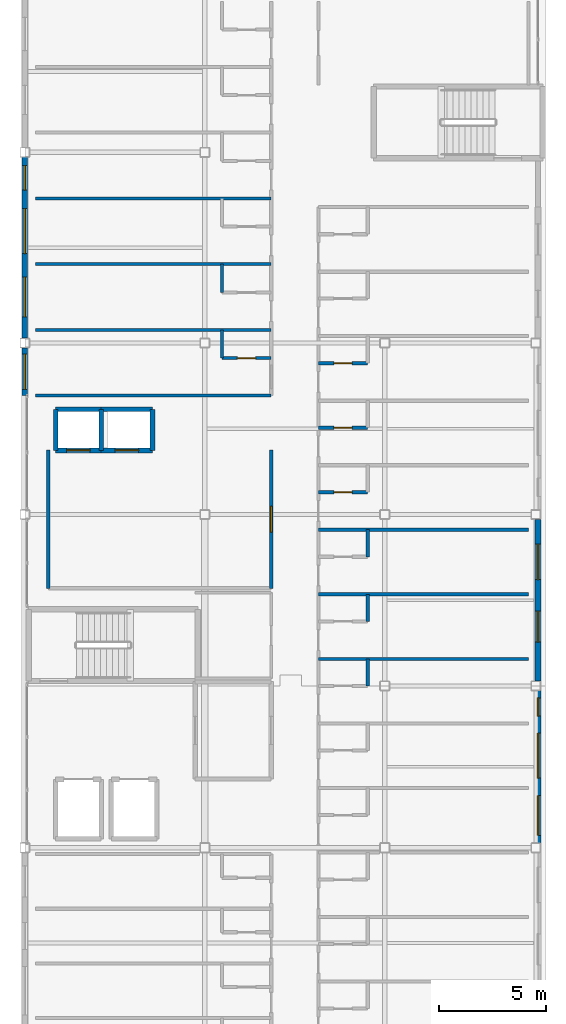
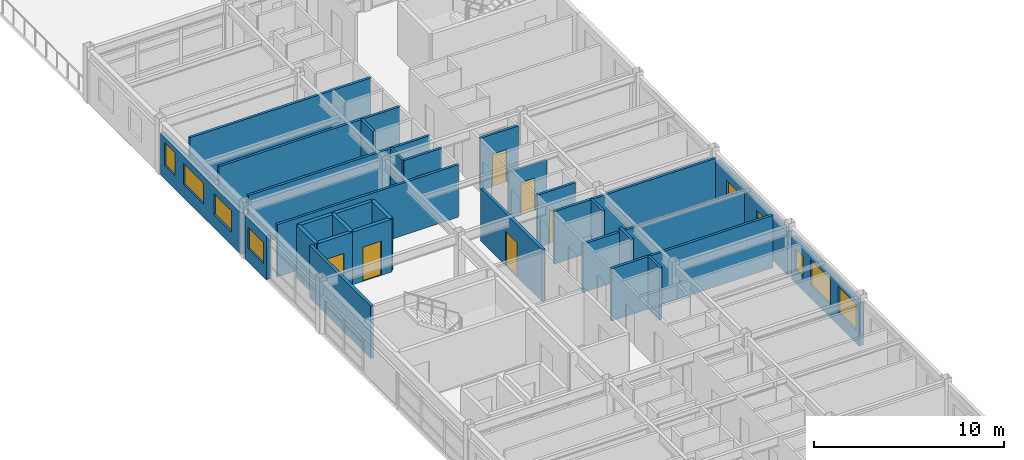
# One storey, part 23 of 28: 29 walls, 9 windows, 7 doors, 16 openings.
"""IFC4 building model written with IfcOpenShell, lengths in metres."""

from ifc_helpers import new_model, si_unit, direction, frame, frame_2d, origin, place, context, subcontext, project, spatial, rectangle, extrude, material, layer, layer_set, type_object, element, fill, save


model = new_model("IFC4")

# Units and contexts
model_context = context("Model", 3, precision=1e-05, world=origin(), true_north=direction((0.0, 1.0)))
body_context = subcontext(model_context, "Body", "Model", "MODEL_VIEW")
ifc_project = project(units=[si_unit("LENGTHUNIT", "METRE"), si_unit("AREAUNIT", "SQUARE_METRE"), si_unit("VOLUMEUNIT", "CUBIC_METRE"), si_unit("PLANEANGLEUNIT", "RADIAN"), si_unit("MASSUNIT", "GRAM", prefix="KILO")], contexts=[model_context])

# Site, building, storey
site_placement = place(None, origin())
site = spatial("IfcSite", under=ifc_project, at=site_placement, CompositionType="ELEMENT")
building_placement = place(site_placement, origin())
building = spatial("IfcBuilding", under=site, at=building_placement, Name="Kazehara Bluff Congress Hotel", CompositionType="ELEMENT")
storey_placement = place(building_placement, frame((0.0, 0.0, 42.60009765625)))
storey = spatial("IfcBuildingStorey", under=building, at=storey_placement, Name="L10", CompositionType="ELEMENT", Elevation=42.60009765625)

# Wall, openings, windows
ifc_material_1 = material(Name="Precast concrete C40/50", Category="concrete")
ifc_layer_1 = layer(ifc_material_1, 0.260009765625)
ifc_layer_set_1 = layer_set([ifc_layer_1], Name="Precast concrete C40/50")
wall_type_1 = type_object("IfcWallType", Name="TP-EW-260", PredefinedType="SOLIDWALL", material=ifc_layer_set_1)
wall_1_placement = place(storey_placement, frame((167.64990234375, 48.22509765625, 0.0), z_axis=(0.0, 0.0, 1.0), x_axis=(0.0, -1.0, 0.0)))
wall_1 = element("IfcWall", 1, at=wall_1_placement, inside=storey, type_object=wall_type_1, Name="L10 hotel facade panel 153", PredefinedType="SOLIDWALL", context=body_context, shape_type="SweptSolid", body=[
    extrude(rectangle(XDim=7.10009765625, YDim=0.260009765625, at=frame_2d((3.550048828125, 0.0))), origin(), (0.0, 0.0, 1.0), 2.7548828125),
])
opening_1_placement = place(wall_1_placement, frame((4.89501953125, 0.0, 0.85009765625)))
opening_1 = element("IfcOpeningElement", 2, at=opening_1_placement, cuts=wall_1, Name="Opening WN-38", PredefinedType="OPENING", context=body_context, shape_type="SweptSolid", body=[
    extrude(rectangle(XDim=1.85009765625, YDim=1.64990234375, at=frame_2d((0.925048828125, 0.824951171875))), frame((0.0, 0.139892578125, 0.0), z_axis=(0.0, -1.0, 0.0), x_axis=(1.0, 0.0, 0.0)), (0.0, 0.0, 1.0), 0.280029296875),
])
opening_2_placement = place(wall_1_placement, frame((1.97998046875, 0.0, 0.85009765625)))
opening_2 = element("IfcOpeningElement", 3, at=opening_2_placement, cuts=wall_1, Name="Opening WN-48", PredefinedType="OPENING", context=body_context, shape_type="SweptSolid", body=[
    extrude(rectangle(XDim=2.10009765625, YDim=1.64990234375, at=frame_2d((1.050048828125, 0.824951171875))), frame((0.0, 0.139892578125, 0.0), z_axis=(0.0, -1.0, 0.0), x_axis=(1.0, 0.0, 0.0)), (0.0, 0.0, 1.0), 0.280029296875),
])
opening_3_placement = place(wall_1_placement, frame((0.3349609375, 0.0, 0.85009765625)))
opening_3 = element("IfcOpeningElement", 4, at=opening_3_placement, cuts=wall_1, Name="Opening WN-55", PredefinedType="OPENING", context=body_context, shape_type="SweptSolid", body=[
    extrude(rectangle(XDim=0.85009765625, YDim=1.35009765625, at=frame_2d((0.425048828125, 0.675048828125))), frame((0.0, 0.139892578125, 0.0), z_axis=(0.0, -1.0, 0.0), x_axis=(1.0, 0.0, 0.0)), (0.0, 0.0, 1.0), 0.280029296875),
])
ifc_material_2 = material(Name="Insulated low-E double glazing", Category="glass")
window_type_1 = type_object("IfcWindowType", Name="TP-WN-38", PartitioningType="DOUBLE_PANEL_VERTICAL", PredefinedType="WINDOW", material=ifc_material_2)
window_1_placement = place(opening_1_placement, origin())
window_1 = element("IfcWindow", 5, at=window_1_placement, inside=storey, type_object=window_type_1, Name="L10 guestroom window WN-38 301", OverallHeight=1.64990234375, OverallWidth=1.85009765625, PartitioningType="SINGLE_PANEL", PredefinedType="WINDOW", context=body_context, shape_type="SweptSolid", body=[
    extrude(rectangle(XDim=1.85009765625, YDim=1.64990234375, at=frame_2d((0.925048828125, 0.824951171875))), frame((0.0, 0.030029296875, 0.0), z_axis=(0.0, -1.0, 0.0), x_axis=(1.0, 0.0, 0.0)), (0.0, 0.0, 1.0), 0.06005859375),
])
fill(opening_1, window_1)
ifc_material_3 = material(Name="Insulated low-E double glazing", Category="glass")
window_type_2 = type_object("IfcWindowType", Name="TP-WN-48", PartitioningType="DOUBLE_PANEL_VERTICAL", PredefinedType="WINDOW", material=ifc_material_3)
window_2_placement = place(opening_2_placement, origin())
window_2 = element("IfcWindow", 6, at=window_2_placement, inside=storey, type_object=window_type_2, Name="L10 guestroom window WN-48 302", OverallHeight=1.64990234375, OverallWidth=2.10009765625, PartitioningType="SINGLE_PANEL", PredefinedType="WINDOW", context=body_context, shape_type="SweptSolid", body=[
    extrude(rectangle(XDim=2.10009765625, YDim=1.64990234375, at=frame_2d((1.050048828125, 0.824951171875))), frame((0.0, 0.030029296875, 0.0), z_axis=(0.0, -1.0, 0.0), x_axis=(1.0, 0.0, 0.0)), (0.0, 0.0, 1.0), 0.06005859375),
])
fill(opening_2, window_2)
ifc_material_4 = material(Name="Insulated low-E double glazing", Category="glass")
window_type_3 = type_object("IfcWindowType", Name="TP-WN-55", PartitioningType="SINGLE_PANEL", PredefinedType="WINDOW", material=ifc_material_4)
window_3_placement = place(opening_3_placement, origin())
window_3 = element("IfcWindow", 7, at=window_3_placement, inside=storey, type_object=window_type_3, Name="L10 guestroom window WN-55 303", OverallHeight=1.35009765625, OverallWidth=0.85009765625, PartitioningType="SINGLE_PANEL", PredefinedType="WINDOW", context=body_context, shape_type="SweptSolid", body=[
    extrude(rectangle(XDim=0.85009765625, YDim=1.35009765625, at=frame_2d((0.425048828125, 0.675048828125))), frame((0.0, 0.030029296875, 0.0), z_axis=(0.0, -1.0, 0.0), x_axis=(1.0, 0.0, 0.0)), (0.0, 0.0, 1.0), 0.06005859375),
])
fill(opening_3, window_3)

wall_2_placement = place(storey_placement, frame((167.64990234375, 56.22509765625, 0.0), z_axis=(0.0, 0.0, 1.0), x_axis=(0.0, -1.0, 0.0)))
wall_2 = element("IfcWall", 8, at=wall_2_placement, inside=storey, type_object=wall_type_1, Name="L10 hotel facade panel 154", PredefinedType="SOLIDWALL", context=body_context, shape_type="SweptSolid", body=[
    extrude(rectangle(XDim=7.550048828125, YDim=0.260009765625, at=frame_2d((3.77490234375, 0.0))), origin(), (0.0, 0.0, 1.0), 2.7548828125),
])
opening_4_placement = place(wall_2_placement, frame((4.284912109375, 0.0, 0.85009765625)))
opening_4 = element("IfcOpeningElement", 9, at=opening_4_placement, cuts=wall_2, Name="Opening WN-16", PredefinedType="OPENING", context=body_context, shape_type="SweptSolid", body=[
    extrude(rectangle(XDim=1.449951171875, YDim=1.35009765625, at=frame_2d((0.72509765625, 0.675048828125))), frame((0.0, 0.139892578125, 0.0), z_axis=(0.0, -1.0, 0.0), x_axis=(1.0, 0.0, 0.0)), (0.0, 0.0, 1.0), 0.280029296875),
])
opening_5_placement = place(wall_2_placement, frame((1.1650390625, 0.0, 0.85009765625)))
opening_5 = element("IfcOpeningElement", 10, at=opening_5_placement, cuts=wall_2, Name="Opening WN-26", PredefinedType="OPENING", context=body_context, shape_type="SweptSolid", body=[
    extrude(rectangle(XDim=1.64990234375, YDim=1.35009765625, at=frame_2d((0.824951171875, 0.675048828125))), frame((0.0, 0.139892578125, 0.0), z_axis=(0.0, -1.0, 0.0), x_axis=(1.0, 0.0, 0.0)), (0.0, 0.0, 1.0), 0.280029296875),
])
ifc_material_5 = material(Name="Insulated low-E double glazing", Category="glass")
window_type_4 = type_object("IfcWindowType", Name="TP-WN-16", PartitioningType="SINGLE_PANEL", PredefinedType="WINDOW", material=ifc_material_5)
window_4_placement = place(opening_4_placement, origin())
window_4 = element("IfcWindow", 11, at=window_4_placement, inside=storey, type_object=window_type_4, Name="L10 guestroom window WN-16 304", OverallHeight=1.35009765625, OverallWidth=1.449951171875, PartitioningType="SINGLE_PANEL", PredefinedType="WINDOW", context=body_context, shape_type="SweptSolid", body=[
    extrude(rectangle(XDim=1.449951171875, YDim=1.35009765625, at=frame_2d((0.72509765625, 0.675048828125))), frame((0.0, 0.030029296875, 0.0), z_axis=(0.0, -1.0, 0.0), x_axis=(1.0, 0.0, 0.0)), (0.0, 0.0, 1.0), 0.06005859375),
])
fill(opening_4, window_4)
ifc_material_6 = material(Name="Insulated low-E double glazing", Category="glass")
window_type_5 = type_object("IfcWindowType", Name="TP-WN-26", PartitioningType="SINGLE_PANEL", PredefinedType="WINDOW", material=ifc_material_6)
window_5_placement = place(opening_5_placement, origin())
window_5 = element("IfcWindow", 12, at=window_5_placement, inside=storey, type_object=window_type_5, Name="L10 guestroom window WN-26 305", OverallHeight=1.35009765625, OverallWidth=1.64990234375, PartitioningType="SINGLE_PANEL", PredefinedType="WINDOW", context=body_context, shape_type="SweptSolid", body=[
    extrude(rectangle(XDim=1.64990234375, YDim=1.35009765625, at=frame_2d((0.824951171875, 0.675048828125))), frame((0.0, 0.030029296875, 0.0), z_axis=(0.0, -1.0, 0.0), x_axis=(1.0, 0.0, 0.0)), (0.0, 0.0, 1.0), 0.06005859375),
])
fill(opening_5, window_5)

# Wall, opening, window
wall_3_placement = place(storey_placement, frame((143.699951171875, 62.0, 0.0), z_axis=(0.0, 0.0, 1.0), x_axis=(0.0, 1.0, 0.0)))
wall_3 = element("IfcWall", 13, at=wall_3_placement, inside=storey, type_object=wall_type_1, Name="L10 hotel facade panel 159", PredefinedType="SOLIDWALL", context=body_context, shape_type="SweptSolid", body=[
    extrude(rectangle(XDim=2.22509765625, YDim=0.260009765625, at=frame_2d((1.112548828125, 0.0))), origin(), (0.0, 0.0, 1.0), 2.804931640625),
])
opening_6_placement = place(wall_3_placement, frame((0.284912109375, 0.0, 0.85009765625)))
opening_6 = element("IfcOpeningElement", 14, at=opening_6_placement, cuts=wall_3, Name="Opening WN-26", PredefinedType="OPENING", context=body_context, shape_type="SweptSolid", body=[
    extrude(rectangle(XDim=1.64990234375, YDim=1.35009765625, at=frame_2d((0.824951171875, 0.675048828125))), frame((0.0, 0.139892578125, 0.0), z_axis=(0.0, -1.0, 0.0), x_axis=(1.0, 0.0, 0.0)), (0.0, 0.0, 1.0), 0.280029296875),
])
window_6_placement = place(opening_6_placement, origin())
window_6 = element("IfcWindow", 15, at=window_6_placement, inside=storey, type_object=window_type_5, Name="L10 guestroom window WN-26 315", OverallHeight=1.35009765625, OverallWidth=1.64990234375, PartitioningType="SINGLE_PANEL", PredefinedType="WINDOW", context=body_context, shape_type="SweptSolid", body=[
    extrude(rectangle(XDim=1.64990234375, YDim=1.35009765625, at=frame_2d((0.824951171875, 0.675048828125))), frame((0.0, 0.030029296875, 0.0), z_axis=(0.0, -1.0, 0.0), x_axis=(1.0, 0.0, 0.0)), (0.0, 0.0, 1.0), 0.06005859375),
])
fill(opening_6, window_6)

# Wall, openings, windows
wall_4_placement = place(storey_placement, frame((143.699951171875, 64.675048828125, 0.0), z_axis=(0.0, 0.0, 1.0), x_axis=(0.0, 1.0, 0.0)))
wall_4 = element("IfcWall", 16, at=wall_4_placement, inside=storey, type_object=wall_type_1, Name="L10 hotel facade panel 160", PredefinedType="SOLIDWALL", context=body_context, shape_type="SweptSolid", body=[
    extrude(rectangle(XDim=8.449951171875, YDim=0.260009765625, at=frame_2d((4.22509765625, 0.0))), origin(), (0.0, 0.0, 1.0), 2.65478515625),
])
opening_7_placement = place(wall_4_placement, frame((1.0, 0.0, 0.85009765625)))
opening_7 = element("IfcOpeningElement", 17, at=opening_7_placement, cuts=wall_4, Name="Opening WN-36", PredefinedType="OPENING", context=body_context, shape_type="SweptSolid", body=[
    extrude(rectangle(XDim=1.85009765625, YDim=1.35009765625, at=frame_2d((0.925048828125, 0.675048828125))), frame((0.0, 0.139892578125, 0.0), z_axis=(0.0, -1.0, 0.0), x_axis=(1.0, 0.0, 0.0)), (0.0, 0.0, 1.0), 0.280029296875),
])
opening_8_placement = place(wall_4_placement, frame((3.945068359375, 0.0, 0.85009765625)))
opening_8 = element("IfcOpeningElement", 18, at=opening_8_placement, cuts=wall_4, Name="Opening WN-46", PredefinedType="OPENING", context=body_context, shape_type="SweptSolid", body=[
    extrude(rectangle(XDim=2.10009765625, YDim=1.35009765625, at=frame_2d((1.050048828125, 0.675048828125))), frame((0.0, 0.139892578125, 0.0), z_axis=(0.0, -1.0, 0.0), x_axis=(1.0, 0.0, 0.0)), (0.0, 0.0, 1.0), 0.280029296875),
])
opening_9_placement = place(wall_4_placement, frame((6.909912109375, 0.0, 0.85009765625)))
opening_9 = element("IfcOpeningElement", 19, at=opening_9_placement, cuts=wall_4, Name="Opening WN-02", PredefinedType="OPENING", context=body_context, shape_type="SweptSolid", body=[
    extrude(rectangle(XDim=1.14990234375, YDim=1.5, at=frame_2d((0.574951171875, 0.75))), frame((0.0, 0.139892578125, 0.0), z_axis=(0.0, -1.0, 0.0), x_axis=(1.0, 0.0, 0.0)), (0.0, 0.0, 1.0), 0.280029296875),
])
ifc_material_7 = material(Name="Insulated low-E double glazing", Category="glass")
window_type_6 = type_object("IfcWindowType", Name="TP-WN-02", PartitioningType="SINGLE_PANEL", PredefinedType="WINDOW", material=ifc_material_7)
window_7_placement = place(opening_9_placement, origin())
window_7 = element("IfcWindow", 20, at=window_7_placement, inside=storey, type_object=window_type_6, Name="L10 guestroom window WN-02 318", OverallHeight=1.5, OverallWidth=1.14990234375, PartitioningType="SINGLE_PANEL", PredefinedType="WINDOW", context=body_context, shape_type="SweptSolid", body=[
    extrude(rectangle(XDim=1.14990234375, YDim=1.5, at=frame_2d((0.574951171875, 0.75))), frame((0.0, 0.030029296875, 0.0), z_axis=(0.0, -1.0, 0.0), x_axis=(1.0, 0.0, 0.0)), (0.0, 0.0, 1.0), 0.06005859375),
])
fill(opening_9, window_7)
ifc_material_8 = material(Name="Insulated low-E double glazing", Category="glass")
window_type_7 = type_object("IfcWindowType", Name="TP-WN-36", PartitioningType="DOUBLE_PANEL_VERTICAL", PredefinedType="WINDOW", material=ifc_material_8)
window_8_placement = place(opening_7_placement, origin())
window_8 = element("IfcWindow", 21, at=window_8_placement, inside=storey, type_object=window_type_7, Name="L10 guestroom window WN-36 316", OverallHeight=1.35009765625, OverallWidth=1.85009765625, PartitioningType="SINGLE_PANEL", PredefinedType="WINDOW", context=body_context, shape_type="SweptSolid", body=[
    extrude(rectangle(XDim=1.85009765625, YDim=1.35009765625, at=frame_2d((0.925048828125, 0.675048828125))), frame((0.0, 0.030029296875, 0.0), z_axis=(0.0, -1.0, 0.0), x_axis=(1.0, 0.0, 0.0)), (0.0, 0.0, 1.0), 0.06005859375),
])
fill(opening_7, window_8)
ifc_material_9 = material(Name="Insulated low-E double glazing", Category="glass")
window_type_8 = type_object("IfcWindowType", Name="TP-WN-46", PartitioningType="DOUBLE_PANEL_VERTICAL", PredefinedType="WINDOW", material=ifc_material_9)
window_9_placement = place(opening_8_placement, origin())
window_9 = element("IfcWindow", 22, at=window_9_placement, inside=storey, type_object=window_type_8, Name="L10 guestroom window WN-46 317", OverallHeight=1.35009765625, OverallWidth=2.10009765625, PartitioningType="SINGLE_PANEL", PredefinedType="WINDOW", context=body_context, shape_type="SweptSolid", body=[
    extrude(rectangle(XDim=2.10009765625, YDim=1.35009765625, at=frame_2d((1.050048828125, 0.675048828125))), frame((0.0, 0.030029296875, 0.0), z_axis=(0.0, -1.0, 0.0), x_axis=(1.0, 0.0, 0.0)), (0.0, 0.0, 1.0), 0.06005859375),
])
fill(opening_8, window_9)

# Walls
ifc_material_10 = material(Name="Fire-rated gypsum board stud partition")
ifc_layer_2 = layer(ifc_material_10, 0.14990234375)
ifc_layer_set_2 = layer_set([ifc_layer_2], Name="Fire-rated gypsum board stud partition")
wall_type_2 = type_object("IfcWallType", Name="TP-PT-150", PredefinedType="PARTITIONING", material=ifc_layer_set_2)
wall_5_placement = place(storey_placement, frame((157.39990234375, 49.7099609375, 0.0), z_axis=(0.0, 0.0, 1.0), x_axis=(1.0, 0.0, 0.0)))
element("IfcWall", 23, at=wall_5_placement, inside=storey, type_object=wall_type_2, Name="L10 partition PT-150 1349", PredefinedType="PARTITIONING", context=body_context, shape_type="SweptSolid", body=[
    extrude(rectangle(XDim=9.800048828125, YDim=0.14990234375, at=frame_2d((4.89990234375, 0.0))), origin(), (0.0, 0.0, 1.0), 3.364990234375),
])
wall_6_placement = place(storey_placement, frame((157.39990234375, 52.72998046875, 0.0), z_axis=(0.0, 0.0, 1.0), x_axis=(1.0, 0.0, 0.0)))
element("IfcWall", 24, at=wall_6_placement, inside=storey, type_object=wall_type_2, Name="L10 partition PT-150 1351", PredefinedType="PARTITIONING", context=body_context, shape_type="SweptSolid", body=[
    extrude(rectangle(XDim=9.800048828125, YDim=0.14990234375, at=frame_2d((4.89990234375, 0.0))), origin(), (0.0, 0.0, 1.0), 3.10498046875),
])
wall_7_placement = place(storey_placement, frame((157.39990234375, 55.739990234375, 0.0), z_axis=(0.0, 0.0, 1.0), x_axis=(1.0, 0.0, 0.0)))
element("IfcWall", 25, at=wall_7_placement, inside=storey, type_object=wall_type_2, Name="L10 partition PT-150 1355", PredefinedType="PARTITIONING", context=body_context, shape_type="SweptSolid", body=[
    extrude(rectangle(XDim=9.800048828125, YDim=0.14990234375, at=frame_2d((4.89990234375, 0.0))), origin(), (0.0, 0.0, 1.0), 3.364990234375),
])

# Wall, opening, door
wall_8_placement = place(storey_placement, frame((157.39990234375, 57.489990234375, 0.0), z_axis=(0.0, 0.0, 1.0), x_axis=(1.0, 0.0, 0.0)))
wall_8 = element("IfcWall", 26, at=wall_8_placement, inside=storey, type_object=wall_type_2, Name="L10 partition PT-150 1356", PredefinedType="PARTITIONING", context=body_context, shape_type="SweptSolid", body=[
    extrude(rectangle(XDim=2.300048828125, YDim=0.14990234375, at=frame_2d((1.14990234375, 0.0))), origin(), (0.0, 0.0, 1.0), 3.364990234375),
])
opening_10_placement = place(wall_8_placement, frame((0.72509765625, 0.0, 0.0)))
opening_10 = element("IfcOpeningElement", 27, at=opening_10_placement, cuts=wall_8, Name="Opening BD-01", PredefinedType="OPENING", context=body_context, shape_type="SweptSolid", body=[
    extrude(rectangle(XDim=0.85009765625, YDim=2.10009765625, at=frame_2d((0.425048828125, 1.050048828125))), frame((0.0, 0.0849609375, 0.0), z_axis=(0.0, -1.0, 0.0), x_axis=(1.0, 0.0, 0.0)), (0.0, 0.0, 1.0), 0.169921875),
])
ifc_material_11 = material(Name="Architectural oak veneer leaf")
door_type_1 = type_object("IfcDoorType", Name="TP-BD-01", OperationType="NOTDEFINED", PredefinedType="DOOR", material=ifc_material_11)
door_1_placement = place(opening_10_placement, origin())
door_1 = element("IfcDoor", 28, at=door_1_placement, inside=storey, type_object=door_type_1, Name="L10 En-suite Bathroom 316 door", OperationType="SINGLE_SWING_RIGHT", OverallHeight=2.10009765625, OverallWidth=0.85009765625, PredefinedType="DOOR", context=body_context, shape_type="SweptSolid", body=[
    extrude(rectangle(XDim=0.85009765625, YDim=2.10009765625, at=frame_2d((0.425048828125, 1.050048828125))), frame((0.0, 0.02490234375, 0.0), z_axis=(0.0, -1.0, 0.0), x_axis=(1.0, 0.0, 0.0)), (0.0, 0.0, 1.0), 0.050048828125),
])
fill(opening_10, door_1)

wall_9_placement = place(storey_placement, frame((157.39990234375, 60.5, 0.0), z_axis=(0.0, 0.0, 1.0), x_axis=(1.0, 0.0, 0.0)))
wall_9 = element("IfcWall", 29, at=wall_9_placement, inside=storey, type_object=wall_type_2, Name="L10 partition PT-150 1358", PredefinedType="PARTITIONING", context=body_context, shape_type="SweptSolid", body=[
    extrude(rectangle(XDim=2.300048828125, YDim=0.14990234375, at=frame_2d((1.14990234375, 0.0))), origin(), (0.0, 0.0, 1.0), 3.0048828125),
])
opening_11_placement = place(wall_9_placement, frame((0.72509765625, 0.0, 0.0)))
opening_11 = element("IfcOpeningElement", 30, at=opening_11_placement, cuts=wall_9, Name="Opening BD-01", PredefinedType="OPENING", context=body_context, shape_type="SweptSolid", body=[
    extrude(rectangle(XDim=0.85009765625, YDim=2.10009765625, at=frame_2d((0.425048828125, 1.050048828125))), frame((0.0, 0.0849609375, 0.0), z_axis=(0.0, -1.0, 0.0), x_axis=(1.0, 0.0, 0.0)), (0.0, 0.0, 1.0), 0.169921875),
])
door_2_placement = place(opening_11_placement, origin())
door_2 = element("IfcDoor", 31, at=door_2_placement, inside=storey, type_object=door_type_1, Name="L10 En-suite Bathroom 317 door", OperationType="SINGLE_SWING_RIGHT", OverallHeight=2.10009765625, OverallWidth=0.85009765625, PredefinedType="DOOR", context=body_context, shape_type="SweptSolid", body=[
    extrude(rectangle(XDim=0.85009765625, YDim=2.10009765625, at=frame_2d((0.425048828125, 1.050048828125))), frame((0.0, 0.02490234375, 0.0), z_axis=(0.0, -1.0, 0.0), x_axis=(1.0, 0.0, 0.0)), (0.0, 0.0, 1.0), 0.050048828125),
])
fill(opening_11, door_2)

# Wall
wall_10_placement = place(storey_placement, frame((144.199951171875, 62.0, 0.0), z_axis=(0.0, 0.0, 1.0), x_axis=(1.0, 0.0, 0.0)))
element("IfcWall", 32, at=wall_10_placement, inside=storey, type_object=wall_type_2, Name="L10 partition PT-150 1360", PredefinedType="PARTITIONING", context=body_context, shape_type="SweptSolid", body=[
    extrude(rectangle(XDim=11.0, YDim=0.14990234375, at=frame_2d((5.5, 0.0))), origin(), (0.0, 0.0, 1.0), 3.364990234375),
])

# Wall, opening, door
wall_11_placement = place(storey_placement, frame((157.39990234375, 63.510009765625, 0.0), z_axis=(0.0, 0.0, 1.0), x_axis=(1.0, 0.0, 0.0)))
wall_11 = element("IfcWall", 33, at=wall_11_placement, inside=storey, type_object=wall_type_2, Name="L10 partition PT-150 1361", PredefinedType="PARTITIONING", context=body_context, shape_type="SweptSolid", body=[
    extrude(rectangle(XDim=2.300048828125, YDim=0.14990234375, at=frame_2d((1.14990234375, 0.0))), origin(), (0.0, 0.0, 1.0), 3.364990234375),
])
opening_12_placement = place(wall_11_placement, frame((0.72509765625, 0.0, 0.0)))
opening_12 = element("IfcOpeningElement", 34, at=opening_12_placement, cuts=wall_11, Name="Opening BD-01", PredefinedType="OPENING", context=body_context, shape_type="SweptSolid", body=[
    extrude(rectangle(XDim=0.85009765625, YDim=2.10009765625, at=frame_2d((0.425048828125, 1.050048828125))), frame((0.0, 0.0849609375, 0.0), z_axis=(0.0, -1.0, 0.0), x_axis=(1.0, 0.0, 0.0)), (0.0, 0.0, 1.0), 0.169921875),
])
door_3_placement = place(opening_12_placement, origin())
door_3 = element("IfcDoor", 35, at=door_3_placement, inside=storey, type_object=door_type_1, Name="L10 En-suite Bathroom 318 door", OperationType="SINGLE_SWING_RIGHT", OverallHeight=2.10009765625, OverallWidth=0.85009765625, PredefinedType="DOOR", context=body_context, shape_type="SweptSolid", body=[
    extrude(rectangle(XDim=0.85009765625, YDim=2.10009765625, at=frame_2d((0.425048828125, 1.050048828125))), frame((0.0, 0.02490234375, 0.0), z_axis=(0.0, -1.0, 0.0), x_axis=(1.0, 0.0, 0.0)), (0.0, 0.0, 1.0), 0.050048828125),
])
fill(opening_12, door_3)

wall_12_placement = place(storey_placement, frame((152.89990234375, 63.75, 0.0), z_axis=(0.0, 0.0, 1.0), x_axis=(1.0, 0.0, 0.0)))
wall_12 = element("IfcWall", 36, at=wall_12_placement, inside=storey, type_object=wall_type_2, Name="L10 partition PT-150 1362", PredefinedType="PARTITIONING", context=body_context, shape_type="SweptSolid", body=[
    extrude(rectangle(XDim=2.300048828125, YDim=0.14990234375, at=frame_2d((1.14990234375, 0.0))), origin(), (0.0, 0.0, 1.0), 3.364990234375),
])
opening_13_placement = place(wall_12_placement, frame((0.72509765625, 0.0, 0.0)))
opening_13 = element("IfcOpeningElement", 37, at=opening_13_placement, cuts=wall_12, Name="Opening BD-01", PredefinedType="OPENING", context=body_context, shape_type="SweptSolid", body=[
    extrude(rectangle(XDim=0.85009765625, YDim=2.10009765625, at=frame_2d((0.425048828125, 1.050048828125))), frame((0.0, 0.0849609375, 0.0), z_axis=(0.0, -1.0, 0.0), x_axis=(1.0, 0.0, 0.0)), (0.0, 0.0, 1.0), 0.169921875),
])
door_4_placement = place(opening_13_placement, origin())
door_4 = element("IfcDoor", 38, at=door_4_placement, inside=storey, type_object=door_type_1, Name="L10 En-suite Bathroom 299 door", OperationType="SINGLE_SWING_RIGHT", OverallHeight=2.10009765625, OverallWidth=0.85009765625, PredefinedType="DOOR", context=body_context, shape_type="SweptSolid", body=[
    extrude(rectangle(XDim=0.85009765625, YDim=2.10009765625, at=frame_2d((0.425048828125, 1.050048828125))), frame((0.0, 0.02490234375, 0.0), z_axis=(0.0, -1.0, 0.0), x_axis=(1.0, 0.0, 0.0)), (0.0, 0.0, 1.0), 0.050048828125),
])
fill(opening_13, door_4)

# Walls
for number, where, z_axis, x_axis, name in (
    (39, (144.199951171875, 65.06005859375, 0.0), (0.0, 0.0, 1.0), (1.0, 0.0, 0.0), "L10 partition PT-150 1364"),
    (40, (144.199951171875, 68.139892578125, 0.0), (0.0, 0.0, 1.0), (1.0, 0.0, 0.0), "L10 partition PT-150 1368"),
    (41, (144.199951171875, 71.199951171875, 0.0), (0.0, 0.0, 1.0), (1.0, 0.0, 0.0), "L10 partition PT-150 1372"),
):
    element("IfcWall", number, at=place(storey_placement, frame(where, z_axis=z_axis, x_axis=x_axis)), inside=storey, type_object=wall_type_2, Name=name, PredefinedType="PARTITIONING", context=body_context, shape_type="SweptSolid", body=[
        extrude(rectangle(XDim=11.0, YDim=0.14990234375, at=frame_2d((5.5, 0.0))), origin(), (0.0, 0.0, 1.0), 3.364990234375),
    ])
wall_13_placement = place(storey_placement, frame((152.89990234375, 63.75, 0.0), z_axis=(0.0, 0.0, 1.0), x_axis=(0.0, 1.0, 0.0)))
element("IfcWall", 42, at=wall_13_placement, inside=storey, type_object=wall_type_2, Name="L10 partition PT-150 1384", PredefinedType="PARTITIONING", context=body_context, shape_type="SweptSolid", body=[
    extrude(rectangle(XDim=1.31494140625, YDim=0.14990234375, at=frame_2d((0.657470703125, 0.0))), origin(), (0.0, 0.0, 1.0), 3.364990234375),
])
wall_14_placement = place(storey_placement, frame((152.89990234375, 66.81494140625, 0.0), z_axis=(0.0, 0.0, 1.0), x_axis=(0.0, 1.0, 0.0)))
element("IfcWall", 43, at=wall_14_placement, inside=storey, type_object=wall_type_2, Name="L10 partition PT-150 1385", PredefinedType="PARTITIONING", context=body_context, shape_type="SweptSolid", body=[
    extrude(rectangle(XDim=1.320068359375, YDim=0.14990234375, at=frame_2d((0.66015625, 0.0))), origin(), (0.0, 0.0, 1.0), 3.364990234375),
])
wall_15_placement = place(storey_placement, frame((159.699951171875, 48.449951171875, 0.0), z_axis=(0.0, 0.0, 1.0), x_axis=(0.0, 1.0, 0.0)))
element("IfcWall", 44, at=wall_15_placement, inside=storey, type_object=wall_type_2, Name="L10 partition PT-150 1407", PredefinedType="PARTITIONING", context=body_context, shape_type="SweptSolid", body=[
    extrude(rectangle(XDim=1.260009765625, YDim=0.14990234375, at=frame_2d((0.6298828125, 0.0))), origin(), (0.0, 0.0, 1.0), 3.364990234375),
])
wall_16_placement = place(storey_placement, frame((159.699951171875, 51.4599609375, 0.0), z_axis=(0.0, 0.0, 1.0), x_axis=(0.0, 1.0, 0.0)))
element("IfcWall", 45, at=wall_16_placement, inside=storey, type_object=wall_type_2, Name="L10 partition PT-150 1408", PredefinedType="PARTITIONING", context=body_context, shape_type="SweptSolid", body=[
    extrude(rectangle(XDim=1.26513671875, YDim=0.14990234375, at=frame_2d((0.632568359375, 0.0))), origin(), (0.0, 0.0, 1.0), 3.364990234375),
])
wall_17_placement = place(storey_placement, frame((159.699951171875, 54.47509765625, 0.0), z_axis=(0.0, 0.0, 1.0), x_axis=(0.0, 1.0, 0.0)))
element("IfcWall", 46, at=wall_17_placement, inside=storey, type_object=wall_type_2, Name="L10 partition PT-150 1409", PredefinedType="PARTITIONING", context=body_context, shape_type="SweptSolid", body=[
    extrude(rectangle(XDim=1.264892578125, YDim=0.14990234375, at=frame_2d((0.63232421875, 0.0))), origin(), (0.0, 0.0, 1.0), 3.364990234375),
])
ifc_material_12 = material(Name="Fire-rated gypsum board stud partition")
ifc_layer_3 = layer(ifc_material_12, 0.169921875)
ifc_layer_set_3 = layer_set([ifc_layer_3], Name="Fire-rated gypsum board stud partition")
wall_type_3 = type_object("IfcWallType", Name="TP-PT-180", PredefinedType="PARTITIONING", material=ifc_layer_set_3)
wall_18_placement = place(storey_placement, frame((144.800048828125, 53.0, 0.0), z_axis=(0.0, 0.0, 1.0), x_axis=(0.0, 1.0, 0.0)))
element("IfcWall", 47, at=wall_18_placement, inside=storey, type_object=wall_type_3, Name="L10 partition PT-180 1378", PredefinedType="PARTITIONING", context=body_context, shape_type="SweptSolid", body=[
    extrude(rectangle(XDim=6.449951171875, YDim=0.169921875, at=frame_2d((3.22509765625, 0.0))), origin(), (0.0, 0.0, 1.0), 3.364990234375),
])

# Wall, opening, door
wall_19_placement = place(storey_placement, frame((155.199951171875, 53.0, 0.0), z_axis=(0.0, 0.0, 1.0), x_axis=(0.0, 1.0, 0.0)))
wall_19 = element("IfcWall", 48, at=wall_19_placement, inside=storey, type_object=wall_type_3, Name="L10 partition PT-180 1395", PredefinedType="PARTITIONING", context=body_context, shape_type="SweptSolid", body=[
    extrude(rectangle(XDim=6.449951171875, YDim=0.169921875, at=frame_2d((3.22509765625, 0.0))), origin(), (0.0, 0.0, 1.0), 3.364990234375),
])
opening_14_placement = place(wall_19_placement, frame((2.625, 0.0, 0.0)))
opening_14 = element("IfcOpeningElement", 49, at=opening_14_placement, cuts=wall_19, Name="Opening FD-02", PredefinedType="OPENING", context=body_context, shape_type="SweptSolid", body=[
    extrude(rectangle(XDim=1.199951171875, YDim=2.199951171875, at=frame_2d((0.60009765625, 1.10009765625))), frame((0.0, 0.094970703125, 0.0), z_axis=(0.0, -1.0, 0.0), x_axis=(1.0, 0.0, 0.0)), (0.0, 0.0, 1.0), 0.18994140625),
])
ifc_material_13 = material(Name="Fire-rated painted steel leaf", Category="steel")
door_type_2 = type_object("IfcDoorType", Name="TP-FD-02", OperationType="NOTDEFINED", PredefinedType="DOOR", material=ifc_material_13)
door_5_placement = place(opening_14_placement, origin())
door_5 = element("IfcDoor", 50, at=door_5_placement, inside=storey, type_object=door_type_2, Name="L10 Hotel Passenger Lift Lobby door", OperationType="SINGLE_SWING_LEFT", OverallHeight=2.199951171875, OverallWidth=1.199951171875, PredefinedType="DOOR", context=body_context, shape_type="SweptSolid", body=[
    extrude(rectangle(XDim=1.199951171875, YDim=2.199951171875, at=frame_2d((0.60009765625, 1.10009765625))), frame((0.0, 0.02490234375, 0.0), z_axis=(0.0, -1.0, 0.0), x_axis=(1.0, 0.0, 0.0)), (0.0, 0.0, 1.0), 0.050048828125),
])
fill(opening_14, door_5)

# Wall
ifc_material_14 = material(Name="Concrete C40/50", Category="concrete")
ifc_layer_4 = layer(ifc_material_14, 0.219970703125)
ifc_layer_set_4 = layer_set([ifc_layer_4], Name="Concrete C40/50")
wall_type_4 = type_object("IfcWallType", Name="TP-SW-RC", PredefinedType="SHEAR", material=ifc_layer_set_4)
wall_20_placement = place(storey_placement, frame((145.139892578125, 61.360107421875, 0.0), z_axis=(0.0, 0.0, 1.0), x_axis=(1.0, 0.0, 0.0)))
element("IfcWall", 51, at=wall_20_placement, inside=storey, type_object=wall_type_4, Name="L10 EL-P1 lift shaft wall +Y", PredefinedType="SHEAR", context=body_context, shape_type="SweptSolid", body=[
    extrude(rectangle(XDim=2.1201171875, YDim=0.219970703125, at=frame_2d((1.06005859375, 0.0))), origin(), (0.0, 0.0, 1.0), 3.3798828125),
])

# Wall, opening, door
wall_21_placement = place(storey_placement, frame((145.139892578125, 59.43994140625, 0.0), z_axis=(0.0, 0.0, 1.0), x_axis=(1.0, 0.0, 0.0)))
wall_21 = element("IfcWall", 52, at=wall_21_placement, inside=storey, type_object=wall_type_4, Name="L10 EL-P1 lift shaft wall -Y", PredefinedType="SHEAR", context=body_context, shape_type="SweptSolid", body=[
    extrude(rectangle(XDim=2.1201171875, YDim=0.219970703125, at=frame_2d((1.06005859375, 0.0))), origin(), (0.0, 0.0, 1.0), 3.3798828125),
])
opening_15_placement = place(wall_21_placement, frame((0.510009765625, 0.0, 0.0)))
opening_15 = element("IfcOpeningElement", 53, at=opening_15_placement, cuts=wall_21, Name="Opening LD-01", PredefinedType="OPENING", context=body_context, shape_type="SweptSolid", body=[
    extrude(rectangle(XDim=1.10009765625, YDim=2.199951171875, at=frame_2d((0.550048828125, 1.10009765625))), frame((0.0, 0.119873046875, 0.0), z_axis=(0.0, -1.0, 0.0), x_axis=(1.0, 0.0, 0.0)), (0.0, 0.0, 1.0), 0.239990234375),
])
ifc_material_15 = material(Name="Fire-rated painted steel leaf", Category="steel")
door_type_3 = type_object("IfcDoorType", Name="TP-LD-01", OperationType="SLIDING_TO_LEFT", PredefinedType="DOOR", material=ifc_material_15)
door_6_placement = place(opening_15_placement, origin())
door_6 = element("IfcDoor", 54, at=door_6_placement, inside=storey, type_object=door_type_3, Name="L10 EL-P1 elevator landing door", OperationType="SLIDING_TO_LEFT", OverallHeight=2.199951171875, OverallWidth=1.10009765625, PredefinedType="DOOR", context=body_context, shape_type="SweptSolid", body=[
    extrude(rectangle(XDim=1.10009765625, YDim=2.199951171875, at=frame_2d((0.550048828125, 1.10009765625))), frame((0.0, 0.02490234375, 0.0), z_axis=(0.0, -1.0, 0.0), x_axis=(1.0, 0.0, 0.0)), (0.0, 0.0, 1.0), 0.050048828125),
])
fill(opening_15, door_6)

# Walls
for number, where, z_axis, x_axis, name in (
    (55, (147.260009765625, 59.43994140625, 0.0), (0.0, 0.0, 1.0), (0.0, 1.0, 0.0), "L10 EL-P1 lift shaft wall +X"),
    (56, (145.139892578125, 59.43994140625, 0.0), (0.0, 0.0, 1.0), (0.0, 1.0, 0.0), "L10 EL-P1 lift shaft wall -X"),
):
    element("IfcWall", number, at=place(storey_placement, frame(where, z_axis=z_axis, x_axis=x_axis)), inside=storey, type_object=wall_type_4, Name=name, PredefinedType="SHEAR", context=body_context, shape_type="SweptSolid", body=[
        extrude(rectangle(XDim=1.920166015625, YDim=0.219970703125, at=frame_2d((0.9599609375, 0.0))), origin(), (0.0, 0.0, 1.0), 3.3798828125),
    ])
wall_22_placement = place(storey_placement, frame((147.260009765625, 61.360107421875, 0.0), z_axis=(0.0, 0.0, 1.0), x_axis=(1.0, 0.0, 0.0)))
element("IfcWall", 57, at=wall_22_placement, inside=storey, type_object=wall_type_4, Name="L10 EL-P2 lift shaft wall +Y", PredefinedType="SHEAR", context=body_context, shape_type="SweptSolid", body=[
    extrude(rectangle(XDim=2.39990234375, YDim=0.219970703125, at=frame_2d((1.199951171875, 0.0))), origin(), (0.0, 0.0, 1.0), 3.3798828125),
])

# Wall, opening, door
wall_23_placement = place(storey_placement, frame((147.260009765625, 59.43994140625, 0.0), z_axis=(0.0, 0.0, 1.0), x_axis=(1.0, 0.0, 0.0)))
wall_23 = element("IfcWall", 58, at=wall_23_placement, inside=storey, type_object=wall_type_4, Name="L10 EL-P2 lift shaft wall -Y", PredefinedType="SHEAR", context=body_context, shape_type="SweptSolid", body=[
    extrude(rectangle(XDim=2.39990234375, YDim=0.219970703125, at=frame_2d((1.199951171875, 0.0))), origin(), (0.0, 0.0, 1.0), 3.3798828125),
])
opening_16_placement = place(wall_23_placement, frame((0.64990234375, 0.0, 0.0)))
opening_16 = element("IfcOpeningElement", 59, at=opening_16_placement, cuts=wall_23, Name="Opening LD-01", PredefinedType="OPENING", context=body_context, shape_type="SweptSolid", body=[
    extrude(rectangle(XDim=1.10009765625, YDim=2.199951171875, at=frame_2d((0.550048828125, 1.10009765625))), frame((0.0, 0.119873046875, 0.0), z_axis=(0.0, -1.0, 0.0), x_axis=(1.0, 0.0, 0.0)), (0.0, 0.0, 1.0), 0.239990234375),
])
door_7_placement = place(opening_16_placement, origin())
door_7 = element("IfcDoor", 60, at=door_7_placement, inside=storey, type_object=door_type_3, Name="L10 EL-P2 elevator landing door", OperationType="SLIDING_TO_LEFT", OverallHeight=2.199951171875, OverallWidth=1.10009765625, PredefinedType="DOOR", context=body_context, shape_type="SweptSolid", body=[
    extrude(rectangle(XDim=1.10009765625, YDim=2.199951171875, at=frame_2d((0.550048828125, 1.10009765625))), frame((0.0, 0.02490234375, 0.0), z_axis=(0.0, -1.0, 0.0), x_axis=(1.0, 0.0, 0.0)), (0.0, 0.0, 1.0), 0.050048828125),
])
fill(opening_16, door_7)

# Wall
wall_24_placement = place(storey_placement, frame((149.659912109375, 59.43994140625, 0.0), z_axis=(0.0, 0.0, 1.0), x_axis=(0.0, 1.0, 0.0)))
element("IfcWall", 61, at=wall_24_placement, inside=storey, type_object=wall_type_4, Name="L10 EL-P2 lift shaft wall +X", PredefinedType="SHEAR", context=body_context, shape_type="SweptSolid", body=[
    extrude(rectangle(XDim=1.920166015625, YDim=0.219970703125, at=frame_2d((0.9599609375, 0.0))), origin(), (0.0, 0.0, 1.0), 3.3798828125),
])

save(model, "model.ifc")
